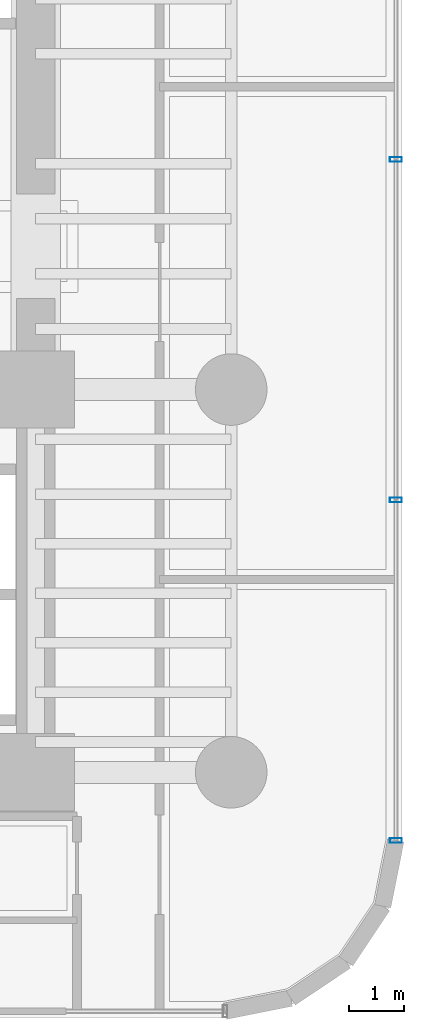
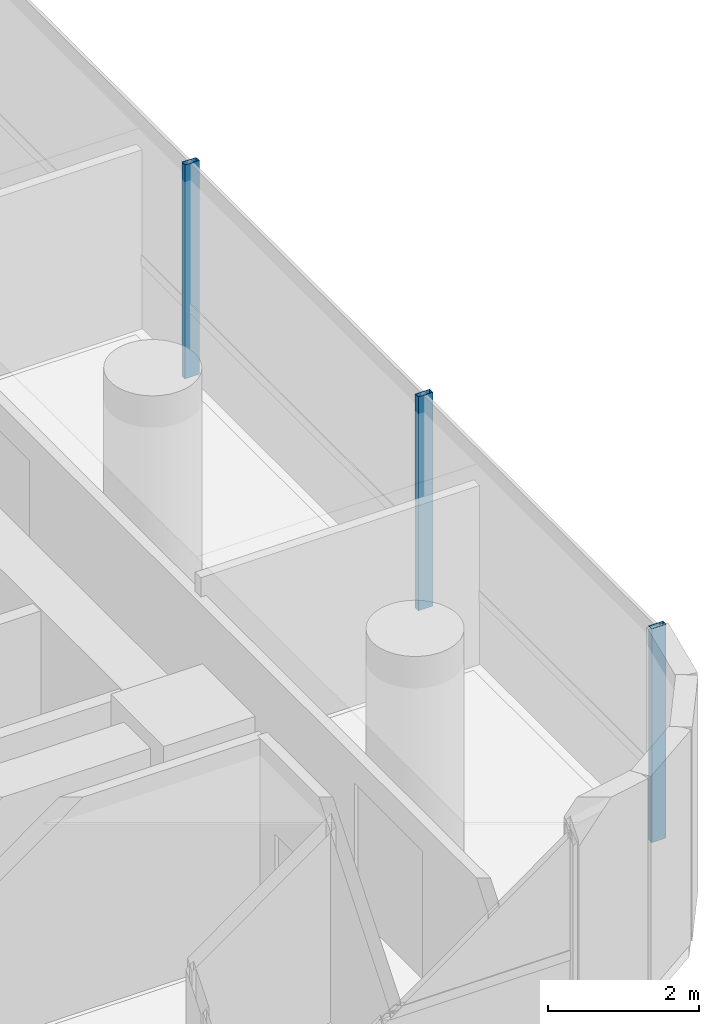
# One storey, part 26 of 42: 3 members, 1 element without a shape of its own.
"""IFC4 building model written with IfcOpenShell, lengths in metres."""

import ifcopenshell
import ifcopenshell.guid

model = None  # the IFC model being written
_history = None  # IfcOwnerHistory: only IFC2X3 demands one
_inside = {}  # id of a spatial element -> (the spatial element, [elements in it])
_under = {}  # id of a project, library or spatial element -> (it, [spatial elements below it])
_declared = {}  # id of a project -> (the project, [libraries it declares])
_typed = {}  # id of a type object -> (the type object, [elements of that type])
_made_of = {}  # id of a material, layer set ... -> (it, [elements and type objects made of it])


def new_model(schema):
    """Start an empty IFC model of exactly this schema.

    Asked for "IFC4X3", IfcOpenShell would pick the latest addendum, in which some entities
    have other attributes; the version numbers below select the first issue.
    IFC2X3 requires an IfcOwnerHistory on every rooted entity: one is made here for all.
    """
    global model, _history
    if schema == "IFC4X3":
        model = ifcopenshell.file(schema_version=(4, 3, 0, 0))
    else:
        model = ifcopenshell.file(schema=schema)
    _inside.clear()
    _under.clear()
    _declared.clear()
    _typed.clear()
    _made_of.clear()
    _history = None
    if model.schema == "IFC2X3":
        org = make("IfcOrganization", Name="unknown")
        user = make(
            "IfcPersonAndOrganization",
            ThePerson=make("IfcPerson", FamilyName="unknown"),
            TheOrganization=org,
        )
        app = make(
            "IfcApplication",
            ApplicationDeveloper=org,
            Version="unknown",
            ApplicationFullName="unknown",
            ApplicationIdentifier="unknown",
        )
        _history = make(
            "IfcOwnerHistory",
            OwningUser=user,
            OwningApplication=app,
            ChangeAction="ADDED",
            CreationDate=0,
        )
    return model


def make(cls, **values):
    """One entity of the class cls with the attributes given. An attribute that is None is left unset."""
    return model.create_entity(
        cls, **{name: value for name, value in values.items() if value is not None}
    )


def rooted(cls, **values):
    """An entity with a GlobalId (a new one), such as an element, a storey or a relation."""
    return make(cls, GlobalId=ifcopenshell.guid.new(), OwnerHistory=_history, **values)


def si_unit(unit_type, name, prefix=None):
    """IfcSIUnit, for example si_unit("LENGTHUNIT", "METRE", prefix="MILLI")."""
    return make("IfcSIUnit", UnitType=unit_type, Prefix=prefix, Name=name)


def assignment(units):
    """IfcUnitAssignment: the units of a project."""
    return None if units is None else make("IfcUnitAssignment", Units=units)


def point(xyz):
    """IfcCartesianPoint."""
    return None if xyz is None else make("IfcCartesianPoint", Coordinates=xyz)


def direction(xyz):
    """IfcDirection."""
    return None if xyz is None else make("IfcDirection", DirectionRatios=xyz)


def frame(location, z_axis=None, x_axis=None):
    """IfcAxis2Placement3D, a coordinate frame: its origin and axes. An axis left out is left unset."""
    return make(
        "IfcAxis2Placement3D",
        Location=point(location),
        Axis=direction(z_axis),
        RefDirection=direction(x_axis),
    )


def frame_2d(location, x_axis=None):
    """IfcAxis2Placement2D, a coordinate frame in the plane: its origin and x axis."""
    return make(
        "IfcAxis2Placement2D", Location=point(location), RefDirection=direction(x_axis)
    )


def origin():
    """The frame at (0, 0, 0) with its axes left unset."""
    return frame((0.0, 0.0, 0.0))


def origin_2d():
    """The frame at (0, 0) in the plane with its x axis left unset."""
    return frame_2d((0.0, 0.0))


def place(relative_to, where):
    """IfcLocalPlacement: puts the frame where relative to a parent placement (None: the world)."""
    return make(
        "IfcLocalPlacement", PlacementRelTo=relative_to, RelativePlacement=where
    )


def context(
    kind, dimensions, precision=None, world=None, true_north=None, identifier=None
):
    """IfcGeometricRepresentationContext, for example the 3D "Model" context."""
    return make(
        "IfcGeometricRepresentationContext",
        ContextIdentifier=identifier,
        ContextType=kind,
        CoordinateSpaceDimension=dimensions,
        Precision=precision,
        WorldCoordinateSystem=world,
        TrueNorth=true_north,
    )


def subcontext(parent, identifier, kind, view, scale=None):
    """IfcGeometricRepresentationSubContext, for example "Body" below "Model"."""
    return make(
        "IfcGeometricRepresentationSubContext",
        ContextIdentifier=identifier,
        ContextType=kind,
        ParentContext=parent,
        TargetScale=scale,
        TargetView=view,
    )


def project(units=None, contexts=None):
    """IfcProject with its units and contexts."""
    return rooted(
        "IfcProject",
        Name="project",
        RepresentationContexts=contexts,
        UnitsInContext=assignment(units),
    )


def spatial(cls, under=None, at=None, **own):
    """A site, building, storey or space (cls), placed at a placement, below another one or the project."""
    s = rooted(cls, ObjectPlacement=at, **own)
    if under is not None:
        _under.setdefault(under.id(), (under, []))[1].append(s)
    return s


def profile(cls, at=None, kind="AREA", **sizes):
    """A parametric profile (cls). Its sizes go by their IFC names, for example OverallWidth=200.0."""
    return make(cls, ProfileType=kind, Position=at, **sizes)


def hollow_rectangle(**sizes):
    """IfcRectangleHollowProfileDef."""
    return profile("IfcRectangleHollowProfileDef", **sizes)


def extrude(swept, where, along, depth):
    """IfcExtrudedAreaSolid: the profile swept, set in the frame where, extruded along a direction by depth."""
    return make(
        "IfcExtrudedAreaSolid",
        SweptArea=swept,
        Position=where,
        ExtrudedDirection=direction(along),
        Depth=depth,
    )


def shape(context_of_items, identifier, shape_type, items):
    """IfcShapeRepresentation: the items that make up one representation, for example the "Body"."""
    return make(
        "IfcShapeRepresentation",
        ContextOfItems=context_of_items,
        RepresentationIdentifier=identifier,
        RepresentationType=shape_type,
        Items=items,
    )


def source(mapping_origin, context_of_items, identifier, shape_type, items):
    """IfcRepresentationMap: a shape defined once, which mapped items show again and again."""
    return make(
        "IfcRepresentationMap",
        MappingOrigin=mapping_origin,
        MappedRepresentation=shape(context_of_items, identifier, shape_type, items),
    )


def transform(
    local_origin,
    x_axis=None,
    y_axis=None,
    z_axis=None,
    scale=None,
    scale2=None,
    scale3=None,
    uniform=True,
):
    """IfcCartesianTransformationOperator3D, or its non-uniform kind. x_axis, y_axis, z_axis: its Axis1, 2, 3."""
    if uniform:
        return make(
            "IfcCartesianTransformationOperator3D",
            Axis1=direction(x_axis),
            Axis2=direction(y_axis),
            LocalOrigin=point(local_origin),
            Scale=scale,
            Axis3=direction(z_axis),
        )
    return make(
        "IfcCartesianTransformationOperator3DnonUniform",
        Axis1=direction(x_axis),
        Axis2=direction(y_axis),
        LocalOrigin=point(local_origin),
        Scale=scale,
        Axis3=direction(z_axis),
        Scale2=scale2,
        Scale3=scale3,
    )


def mapped(mapping_source, mapping_target):
    """IfcMappedItem: shows the shape of a source again, moved by a transform."""
    return make(
        "IfcMappedItem", MappingSource=mapping_source, MappingTarget=mapping_target
    )


def material(Name=None, Category=None):
    """IfcMaterial."""
    return make("IfcMaterial", Name=Name, Category=Category)


def material_profile(
    of_material, cross_section, Name=None, Category=None, Priority=None
):
    """IfcMaterialProfile: a cross section and its material."""
    return make(
        "IfcMaterialProfile",
        Name=Name,
        Material=of_material,
        Profile=cross_section,
        Priority=Priority,
        Category=Category,
    )


def profile_set(profiles, Name=None, composite=None):
    """IfcMaterialProfileSet."""
    return make(
        "IfcMaterialProfileSet",
        Name=Name,
        MaterialProfiles=profiles,
        CompositeProfile=composite,
    )


def made_of(thing, what):
    """Note that an element or type object is made of a material, layer set ...; save() writes the relation."""
    if what is not None:
        _made_of.setdefault(what.id(), (what, []))[1].append(thing)
    return thing


def type_object(cls, material=None, **own):
    """A type object (cls), such as IfcWallType, which elements share."""
    return made_of(rooted(cls, **own), material)


def element(
    cls,
    number,
    at=None,
    inside=None,
    cuts=None,
    type_object=None,
    material=None,
    context=None,
    identifier="Body",
    shape_type=None,
    held_by="IfcProductDefinitionShape",
    body=None,
    shapes=None,
    **own,
):
    """One element of the class cls, such as IfcWall. Its Tag is "e" and its number.

    at: its placement. inside: the storey or other place that contains it. cuts: it is an
    opening in that element (IfcRelVoidsElement). A single representation is given by context,
    identifier, shape_type and body (its items); several are given by shapes. held_by: the class
    of the entity that holds the representations. save() writes the other relations.
    """
    e = rooted(cls, Tag="e%d" % number, ObjectPlacement=at, **own)
    if body is not None:
        shapes = [shape(context, identifier, shape_type, body)]
    if shapes is not None:
        e.Representation = make(held_by, Representations=shapes)
    if inside is not None:
        _inside.setdefault(inside.id(), (inside, []))[1].append(e)
    if cuts is not None:
        rooted(
            "IfcRelVoidsElement", RelatingBuildingElement=cuts, RelatedOpeningElement=e
        )
    if type_object is not None:
        _typed.setdefault(type_object.id(), (type_object, []))[1].append(e)
    return made_of(e, material)


def aggregate(whole, parts):
    """IfcRelAggregates: a whole, such as a stair, and the parts it consists of."""
    return rooted("IfcRelAggregates", RelatingObject=whole, RelatedObjects=parts)


def save(model, path):
    """Write the relations noted so far, then the file.

    IfcRelAggregates (storeys below a building ...), IfcRelContainedInSpatialStructure (elements
    in a storey), IfcRelDefinesByType, IfcRelAssociatesMaterial and IfcRelDeclares: one each for
    every whole, place, type object, material and project.
    """
    for whole, parts in _under.values():
        aggregate(whole, parts)
    for where, things in _inside.values():
        rooted(
            "IfcRelContainedInSpatialStructure",
            RelatedElements=things,
            RelatingStructure=where,
        )
    for kind, things in _typed.values():
        rooted("IfcRelDefinesByType", RelatedObjects=things, RelatingType=kind)
    for what, things in _made_of.values():
        rooted("IfcRelAssociatesMaterial", RelatedObjects=things, RelatingMaterial=what)
    for by, libraries in _declared.values():
        rooted("IfcRelDeclares", RelatingContext=by, RelatedDefinitions=libraries)
    model.write(path)


model = new_model("IFC4")

# Units and contexts
model_context = context("Model", 3, precision=1e-05, world=origin(), true_north=direction((0.0, 1.0)))
body_context = subcontext(model_context, "Body", "Model", "MODEL_VIEW")
ifc_project = project(units=[si_unit("LENGTHUNIT", "METRE"), si_unit("AREAUNIT", "SQUARE_METRE"), si_unit("VOLUMEUNIT", "CUBIC_METRE"), si_unit("PLANEANGLEUNIT", "RADIAN"), si_unit("MASSUNIT", "GRAM", prefix="KILO")], contexts=[model_context])

# Site, building, storey
site_placement = place(None, origin())
site = spatial("IfcSite", under=ifc_project, at=site_placement, CompositionType="ELEMENT")
building_placement = place(site_placement, origin())
building = spatial("IfcBuilding", under=site, at=building_placement, Name="Valdorenza Pilgrim Sanctuary Tower", CompositionType="ELEMENT")
storey_placement = place(building_placement, frame((0.0, 0.0, 55.60009765625)))
storey = spatial("IfcBuildingStorey", under=building, at=storey_placement, Name="L13", CompositionType="ELEMENT", Elevation=55.60009765625)

# Curtain wall, members
ifc_material_1 = material(Name="Curtain-wall IGU glazing", Category="glass")
curtain_wall_type = type_object("IfcCurtainWallType", Name="CW-SYS-03", PredefinedType="NOTDEFINED", material=ifc_material_1)
curtain_wall_placement = place(storey_placement, origin())
curtain_wall = element("IfcCurtainWall", 1, at=curtain_wall_placement, inside=storey, type_object=curtain_wall_type, Name="L13 Curtain Wall CW-L13-1-21", PredefinedType="NOTDEFINED")
ifc_material_2 = material(Name="Anodised aluminium AW-6060", Category="aluminium")
ifc_material_profile = material_profile(ifc_material_2, hollow_rectangle(XDim=0.0849609375, YDim=0.219970703125, WallThickness=0.0048828125, at=origin_2d()), Name="ALU-M 220x85x5")
ifc_profile_set = profile_set([ifc_material_profile], Name="Anodised aluminium AW-6060")
member_type = type_object("IfcMemberType", Name="CW-MUL-03", PredefinedType="MULLION", material=ifc_profile_set)
shared_shape = source(origin(), body_context, "Body", "SweptSolid", [
    extrude(hollow_rectangle(XDim=0.0849609375, YDim=0.219970703125, WallThickness=0.0048828125, at=origin_2d()), origin(), (0.0, 0.0, 1.0), 3.4599609375),
])
member_1_placement = place(storey_placement, frame((31.389892578125, 1.577880859375, 0.0), z_axis=(0.0, 0.0, 1.0), x_axis=(0.0, -1.0, 0.0)))
member_1 = element("IfcMember", 2, at=member_1_placement, type_object=member_type, Name="CW-L13-1-21 Mullion 3", PredefinedType="MULLION", context=body_context, shape_type="MappedRepresentation", body=[
    mapped(shared_shape, transform((0.0, 0.0, 0.0), x_axis=(1.0, 0.0, 0.0), y_axis=(0.0, 1.0, 0.0), z_axis=(0.0, 0.0, 1.0), scale=1.0)),
])
member_2_placement = place(storey_placement, frame((31.389892578125, -4.605712890625, 0.0), z_axis=(0.0, 0.0, 1.0), x_axis=(0.0, -1.0, 0.0)))
member_2 = element("IfcMember", 3, at=member_2_placement, type_object=member_type, Name="CW-L13-1-21 Mullion 4", PredefinedType="MULLION", context=body_context, shape_type="MappedRepresentation", body=[
    mapped(shared_shape, transform((0.0, 0.0, 0.0), x_axis=(1.0, 0.0, 0.0), y_axis=(0.0, 1.0, 0.0), z_axis=(0.0, 0.0, 1.0), scale=1.0)),
])
member_3_placement = place(storey_placement, frame((31.389892578125, -10.789306640625, 0.0), z_axis=(0.0, 0.0, 1.0), x_axis=(0.0, -1.0, 0.0)))
member_3 = element("IfcMember", 4, at=member_3_placement, type_object=member_type, Name="CW-L13-1-21 Mullion 5", PredefinedType="MULLION", context=body_context, shape_type="MappedRepresentation", body=[
    mapped(shared_shape, transform((0.0, 0.0, 0.0), x_axis=(1.0, 0.0, 0.0), y_axis=(0.0, 1.0, 0.0), z_axis=(0.0, 0.0, 1.0), scale=1.0)),
])
aggregate(curtain_wall, [member_1, member_2, member_3])

save(model, "model.ifc")
